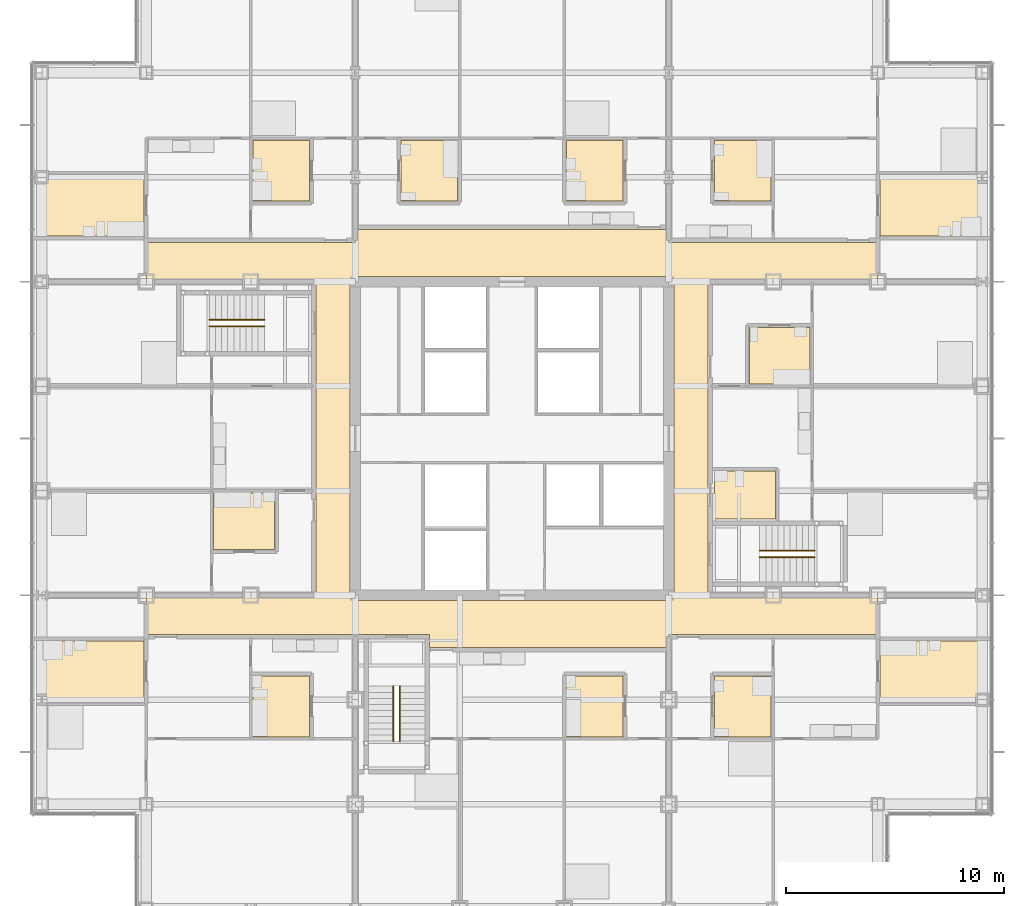
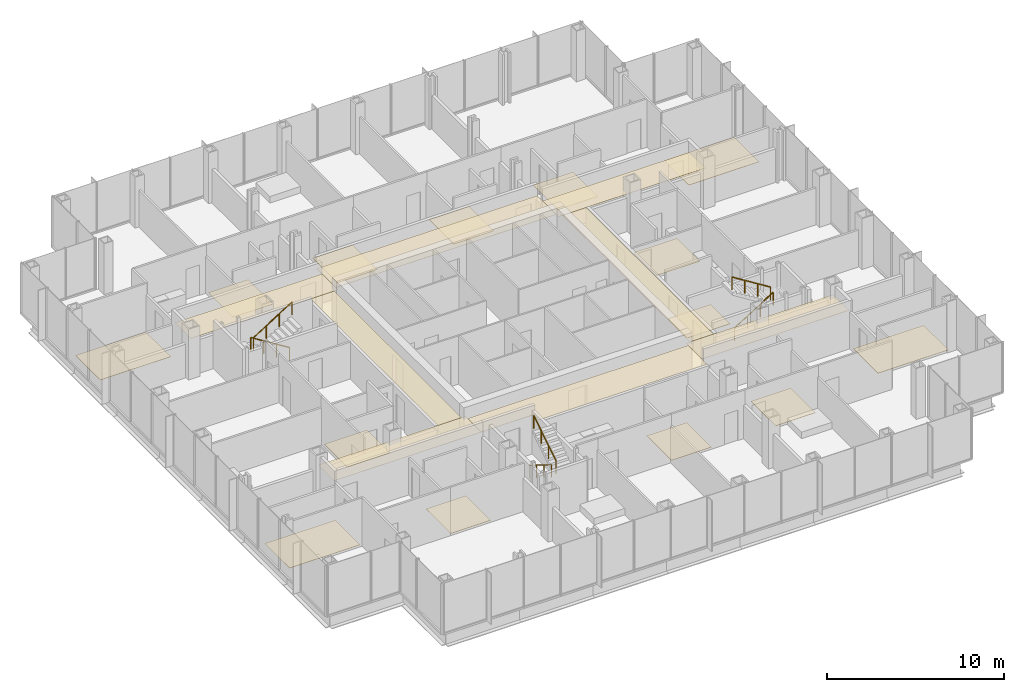
# One storey, part 19 of 21: 22 coverings, 6 railings.
"""IFC4 building model written with IfcOpenShell, lengths in metres."""

from ifc_helpers import new_model, si_unit, direction, frame, origin, origin_2d, place, context, subcontext, project, spatial, polyline, circle, outline, extrude, material, layer, layer_set, type_object, element, save


model = new_model("IFC4")

# Units and contexts
model_context = context("Model", 3, precision=1e-05, world=origin(), true_north=direction((0.0, 1.0)))
body_context = subcontext(model_context, "Body", "Model", "MODEL_VIEW")
ifc_project = project(units=[si_unit("LENGTHUNIT", "METRE"), si_unit("AREAUNIT", "SQUARE_METRE"), si_unit("VOLUMEUNIT", "CUBIC_METRE"), si_unit("PLANEANGLEUNIT", "RADIAN"), si_unit("MASSUNIT", "GRAM", prefix="KILO")], contexts=[model_context])

# Site, building, storey
site_placement = place(None, origin())
site = spatial("IfcSite", under=ifc_project, at=site_placement, CompositionType="ELEMENT")
building_placement = place(site_placement, origin())
building = spatial("IfcBuilding", under=site, at=building_placement, Name="Kvirike Care Tower", CompositionType="ELEMENT")
storey_placement = place(building_placement, frame((0.0, 0.0, 58.5)))
storey = spatial("IfcBuildingStorey", under=building, at=storey_placement, Name="L15", CompositionType="ELEMENT", Elevation=58.5)

# Coverings
ifc_material_1 = material(Name="Perforated metal ceiling tile", Category="aluminium")
ifc_layer_1 = layer(ifc_material_1, 0.014892578125)
ifc_layer_set_1 = layer_set([ifc_layer_1], Name="CORRIDOR CEILING 15")
covering_type_1 = type_object("IfcCoveringType", Name="CORRIDOR CEILING 15", PredefinedType="CEILING", material=ifc_layer_set_1)
covering_1_placement = place(storey_placement, frame((0.0, 0.0, 2.5)))
element("IfcCovering", 1, at=covering_1_placement, inside=storey, type_object=covering_type_1, Name="Corridor ceiling L15", PredefinedType="CEILING", context=body_context, shape_type="SweptSolid", body=[
    extrude(outline(polyline([(4.800048828125, 27.0), (4.800048828125, 28.800048828125), (14.39990234375, 28.800048828125), (14.39990234375, 27.0), (4.800048828125, 27.0)])), origin(), (0.0, 0.0, 1.0), 0.014892578125),
])
covering_2_placement = place(storey_placement, frame((0.0, 0.0, 2.5)))
element("IfcCovering", 2, at=covering_2_placement, inside=storey, type_object=covering_type_1, Name="Corridor ceiling L15", PredefinedType="CEILING", context=body_context, shape_type="SweptSolid", body=[
    extrude(outline(polyline([(12.60009765625, 43.199951171875), (14.14990234375, 43.199951171875), (14.14990234375, 28.800048828125), (12.60009765625, 28.800048828125), (12.60009765625, 43.199951171875)])), origin(), (0.0, 0.0, 1.0), 0.014892578125),
])
covering_3_placement = place(storey_placement, frame((0.0, 0.0, 2.5)))
element("IfcCovering", 3, at=covering_3_placement, inside=storey, type_object=covering_type_1, Name="Corridor ceiling L15", PredefinedType="CEILING", context=body_context, shape_type="SweptSolid", body=[
    extrude(outline(polyline([(14.39990234375, 45.0), (14.39990234375, 43.199951171875), (4.800048828125, 43.199951171875), (4.800048828125, 45.0), (14.39990234375, 45.0)])), origin(), (0.0, 0.0, 1.0), 0.014892578125),
])
covering_4_placement = place(storey_placement, frame((0.0, 0.0, 2.5)))
element("IfcCovering", 4, at=covering_4_placement, inside=storey, type_object=covering_type_1, Name="Corridor ceiling L15", PredefinedType="CEILING", context=body_context, shape_type="SweptSolid", body=[
    extrude(outline(polyline([(14.39990234375, 28.550048828125), (28.800048828125, 28.550048828125), (28.800048828125, 26.39990234375), (17.800048828125, 26.39990234375), (17.800048828125, 27.0), (14.39990234375, 27.0), (14.39990234375, 28.550048828125)])), origin(), (0.0, 0.0, 1.0), 0.014892578125),
])
covering_5_placement = place(storey_placement, frame((0.0, 0.0, 2.5)))
element("IfcCovering", 5, at=covering_5_placement, inside=storey, type_object=covering_type_1, Name="Corridor ceiling L15", PredefinedType="CEILING", context=body_context, shape_type="SweptSolid", body=[
    extrude(outline(polyline([(28.800048828125, 45.60009765625), (28.800048828125, 43.449951171875), (14.39990234375, 43.449951171875), (14.39990234375, 45.60009765625), (28.800048828125, 45.60009765625)])), origin(), (0.0, 0.0, 1.0), 0.014892578125),
])
covering_6_placement = place(storey_placement, frame((0.0, 0.0, 2.5)))
element("IfcCovering", 6, at=covering_6_placement, inside=storey, type_object=covering_type_1, Name="Corridor ceiling L15", PredefinedType="CEILING", context=body_context, shape_type="SweptSolid", body=[
    extrude(outline(polyline([(28.800048828125, 27.0), (28.800048828125, 28.800048828125), (38.39990234375, 28.800048828125), (38.39990234375, 27.0), (28.800048828125, 27.0)])), origin(), (0.0, 0.0, 1.0), 0.014892578125),
])
covering_7_placement = place(storey_placement, frame((0.0, 0.0, 2.5)))
element("IfcCovering", 7, at=covering_7_placement, inside=storey, type_object=covering_type_1, Name="Corridor ceiling L15", PredefinedType="CEILING", context=body_context, shape_type="SweptSolid", body=[
    extrude(outline(polyline([(30.60009765625, 28.800048828125), (29.050048828125, 28.800048828125), (29.050048828125, 43.199951171875), (30.60009765625, 43.199951171875), (30.60009765625, 28.800048828125)])), origin(), (0.0, 0.0, 1.0), 0.014892578125),
])
covering_8_placement = place(storey_placement, frame((0.0, 0.0, 2.5)))
element("IfcCovering", 8, at=covering_8_placement, inside=storey, type_object=covering_type_1, Name="Corridor ceiling L15", PredefinedType="CEILING", context=body_context, shape_type="SweptSolid", body=[
    extrude(outline(polyline([(38.39990234375, 45.0), (38.39990234375, 43.199951171875), (28.800048828125, 43.199951171875), (28.800048828125, 45.0), (38.39990234375, 45.0)])), origin(), (0.0, 0.0, 1.0), 0.014892578125),
])

# Railings
ifc_material_2 = material(Name="Stainless steel handrail", Category="steel")
railing_type = type_object("IfcRailingType", Name="STAIR HANDRAIL 900", PredefinedType="HANDRAIL", material=ifc_material_2)
railing_1_placement = place(storey_placement, frame((10.219970703125, 41.449951171875, 0.175048828125)))
element("IfcRailing", 9, at=railing_1_placement, inside=storey, type_object=railing_type, Name="Stair 1 handrail L15 flight 1", PredefinedType="HANDRAIL", context=body_context, shape_type="SweptSolid", body=[
    extrude(circle(Radius=0.02490234375, at=origin_2d()), frame((0.0, 0.0, 0.875), z_axis=(-0.848007534815, 0.0, 0.529984170421), x_axis=(0.0, -1.0, 0.0)), (0.0, 0.0, 1.0), 2.9716796875),
    extrude(circle(Radius=0.02001953125, at=origin_2d()), origin(), (0.0, 0.0, 1.0), 0.849853515625),
    extrude(circle(Radius=0.02001953125, at=origin_2d()), frame((-0.840087890625, 0.0, 0.52490234375)), (0.0, 0.0, 1.0), 0.849853515625),
    extrude(circle(Radius=0.02001953125, at=origin_2d()), frame((-1.679931640625, 0.0, 1.050048828125)), (0.0, 0.0, 1.0), 0.849853515625),
    extrude(circle(Radius=0.02001953125, at=origin_2d()), frame((-2.52001953125, 0.0, 1.574951171875)), (0.0, 0.0, 1.0), 0.849853515625),
])
for number, where, name in (
    (10, (7.699951171875, 41.14990234375, 1.925048828125), "Stair 1 handrail L15 flight 2"),
    (11, (32.97998046875, 30.550048828125, 0.175048828125), "Stair 2 handrail L15 flight 1"),
):
    element("IfcRailing", number, at=place(storey_placement, frame(where)), inside=storey, type_object=railing_type, Name=name, PredefinedType="HANDRAIL", context=body_context, shape_type="SweptSolid", body=[
        extrude(circle(Radius=0.02490234375, at=origin_2d()), frame((0.0, 0.0, 0.875), z_axis=(0.848007534815, 0.0, 0.529984170421), x_axis=(0.0, 1.0, 0.0)), (0.0, 0.0, 1.0), 2.9716796875),
        extrude(circle(Radius=0.02001953125, at=origin_2d()), origin(), (0.0, 0.0, 1.0), 0.849853515625),
        extrude(circle(Radius=0.02001953125, at=origin_2d()), frame((0.840087890625, 0.0, 0.52490234375)), (0.0, 0.0, 1.0), 0.849853515625),
        extrude(circle(Radius=0.02001953125, at=origin_2d()), frame((1.679931640625, 0.0, 1.050048828125)), (0.0, 0.0, 1.0), 0.849853515625),
        extrude(circle(Radius=0.02001953125, at=origin_2d()), frame((2.52001953125, 0.0, 1.574951171875)), (0.0, 0.0, 1.0), 0.849853515625),
    ])
railing_2_placement = place(storey_placement, frame((35.5, 30.85009765625, 1.925048828125)))
element("IfcRailing", 12, at=railing_2_placement, inside=storey, type_object=railing_type, Name="Stair 2 handrail L15 flight 2", PredefinedType="HANDRAIL", context=body_context, shape_type="SweptSolid", body=[
    extrude(circle(Radius=0.02490234375, at=origin_2d()), frame((0.0, 0.0, 0.875), z_axis=(-0.848007534815, 0.0, 0.529984170421), x_axis=(0.0, -1.0, 0.0)), (0.0, 0.0, 1.0), 2.9716796875),
    extrude(circle(Radius=0.02001953125, at=origin_2d()), origin(), (0.0, 0.0, 1.0), 0.849853515625),
    extrude(circle(Radius=0.02001953125, at=origin_2d()), frame((-0.840087890625, 0.0, 0.52490234375)), (0.0, 0.0, 1.0), 0.849853515625),
    extrude(circle(Radius=0.02001953125, at=origin_2d()), frame((-1.679931640625, 0.0, 1.050048828125)), (0.0, 0.0, 1.0), 0.849853515625),
    extrude(circle(Radius=0.02001953125, at=origin_2d()), frame((-2.52001953125, 0.0, 1.574951171875)), (0.0, 0.0, 1.0), 0.849853515625),
])
railing_3_placement = place(storey_placement, frame((16.14990234375, 24.6201171875, 0.175048828125)))
element("IfcRailing", 13, at=railing_3_placement, inside=storey, type_object=railing_type, Name="Stair 5 handrail L15 flight 1", PredefinedType="HANDRAIL", context=body_context, shape_type="SweptSolid", body=[
    extrude(circle(Radius=0.02490234375, at=origin_2d()), frame((0.0, 0.0, 0.875), z_axis=(0.0, -0.848007534815, 0.529984170421), x_axis=(1.0, 0.0, 0.0)), (0.0, 0.0, 1.0), 2.9716796875),
    extrude(circle(Radius=0.02001953125, at=origin_2d()), origin(), (0.0, 0.0, 1.0), 0.849853515625),
    extrude(circle(Radius=0.02001953125, at=origin_2d()), frame((0.0, -0.840087890625, 0.52490234375)), (0.0, 0.0, 1.0), 0.849853515625),
    extrude(circle(Radius=0.02001953125, at=origin_2d()), frame((0.0, -1.679931640625, 1.050048828125)), (0.0, 0.0, 1.0), 0.849853515625),
    extrude(circle(Radius=0.02001953125, at=origin_2d()), frame((0.0, -2.52001953125, 1.574951171875)), (0.0, 0.0, 1.0), 0.849853515625),
])
railing_4_placement = place(storey_placement, frame((16.449951171875, 22.10009765625, 1.925048828125)))
element("IfcRailing", 14, at=railing_4_placement, inside=storey, type_object=railing_type, Name="Stair 5 handrail L15 flight 2", PredefinedType="HANDRAIL", context=body_context, shape_type="SweptSolid", body=[
    extrude(circle(Radius=0.02490234375, at=origin_2d()), frame((0.0, 0.0, 0.875), z_axis=(0.0, 0.848007534815, 0.529984170421), x_axis=(-1.0, 0.0, 0.0)), (0.0, 0.0, 1.0), 2.9716796875),
    extrude(circle(Radius=0.02001953125, at=origin_2d()), origin(), (0.0, 0.0, 1.0), 0.849853515625),
    extrude(circle(Radius=0.02001953125, at=origin_2d()), frame((0.0, 0.840087890625, 0.52490234375)), (0.0, 0.0, 1.0), 0.849853515625),
    extrude(circle(Radius=0.02001953125, at=origin_2d()), frame((0.0, 1.679931640625, 1.050048828125)), (0.0, 0.0, 1.0), 0.849853515625),
    extrude(circle(Radius=0.02001953125, at=origin_2d()), frame((0.0, 2.52001953125, 1.574951171875)), (0.0, 0.0, 1.0), 0.849853515625),
])

# Coverings
ifc_material_3 = material(Name="Slip-resistant vinyl safety flooring on screed")
ifc_layer_2 = layer(ifc_material_3, 0.02001953125)
ifc_layer_set_2 = layer_set([ifc_layer_2], Name="WET ROOM FLOOR 20")
covering_type_2 = type_object("IfcCoveringType", Name="WET ROOM FLOOR 20", PredefinedType="FLOORING", material=ifc_layer_set_2)
covering_9_placement = place(storey_placement, origin())
element("IfcCovering", 15, at=covering_9_placement, inside=storey, type_object=covering_type_2, Name="Shower room floor L15-004", PredefinedType="FLOORING", context=body_context, shape_type="SweptSolid", body=[
    extrude(outline(polyline([(0.10009765625, 23.89990234375), (0.10009765625, 26.699951171875), (4.699951171875, 26.699951171875), (4.699951171875, 23.89990234375), (0.10009765625, 23.89990234375)])), origin(), (0.0, 0.0, 1.0), 0.02001953125),
])
covering_10_placement = place(storey_placement, origin())
element("IfcCovering", 16, at=covering_10_placement, inside=storey, type_object=covering_type_2, Name="Bathroom floor L15-005", PredefinedType="FLOORING", context=body_context, shape_type="SweptSolid", body=[
    extrude(outline(polyline([(9.699951171875, 22.300048828125), (9.699951171875, 25.10009765625), (12.300048828125, 25.10009765625), (12.300048828125, 22.300048828125), (9.699951171875, 22.300048828125)])), origin(), (0.0, 0.0, 1.0), 0.02001953125),
])
covering_11_placement = place(storey_placement, origin())
element("IfcCovering", 17, at=covering_11_placement, inside=storey, type_object=covering_type_2, Name="Bathroom floor L15-013", PredefinedType="FLOORING", context=body_context, shape_type="SweptSolid", body=[
    extrude(outline(polyline([(7.89990234375, 33.5), (10.699951171875, 33.5), (10.699951171875, 30.89990234375), (7.89990234375, 30.89990234375), (7.89990234375, 33.5)])), origin(), (0.0, 0.0, 1.0), 0.02001953125),
])
covering_12_placement = place(storey_placement, origin())
element("IfcCovering", 18, at=covering_12_placement, inside=storey, type_object=covering_type_2, Name="Shower room floor L15-020", PredefinedType="FLOORING", context=body_context, shape_type="SweptSolid", body=[
    extrude(outline(polyline([(12.300048828125, 49.699951171875), (12.300048828125, 46.89990234375), (9.699951171875, 46.89990234375), (9.699951171875, 49.699951171875), (12.300048828125, 49.699951171875)])), origin(), (0.0, 0.0, 1.0), 0.02001953125),
])
covering_13_placement = place(storey_placement, origin())
element("IfcCovering", 19, at=covering_13_placement, inside=storey, type_object=covering_type_2, Name="Bathroom floor L15-021", PredefinedType="FLOORING", context=body_context, shape_type="SweptSolid", body=[
    extrude(outline(polyline([(4.699951171875, 48.10009765625), (4.699951171875, 45.300048828125), (0.10009765625, 45.300048828125), (0.10009765625, 48.10009765625), (4.699951171875, 48.10009765625)])), origin(), (0.0, 0.0, 1.0), 0.02001953125),
])
covering_14_placement = place(storey_placement, origin())
element("IfcCovering", 20, at=covering_14_placement, inside=storey, type_object=covering_type_2, Name="Bathroom floor L15-029", PredefinedType="FLOORING", context=body_context, shape_type="SweptSolid", body=[
    extrude(outline(polyline([(24.10009765625, 22.300048828125), (24.10009765625, 25.10009765625), (26.699951171875, 25.10009765625), (26.699951171875, 22.300048828125), (24.10009765625, 22.300048828125)])), origin(), (0.0, 0.0, 1.0), 0.02001953125),
])
covering_15_placement = place(storey_placement, origin())
element("IfcCovering", 21, at=covering_15_placement, inside=storey, type_object=covering_type_2, Name="Shower room floor L15-035", PredefinedType="FLOORING", context=body_context, shape_type="SweptSolid", body=[
    extrude(outline(polyline([(26.699951171875, 49.699951171875), (26.699951171875, 46.89990234375), (24.10009765625, 46.89990234375), (24.10009765625, 49.699951171875), (26.699951171875, 49.699951171875)])), origin(), (0.0, 0.0, 1.0), 0.02001953125),
])
covering_16_placement = place(storey_placement, origin())
element("IfcCovering", 22, at=covering_16_placement, inside=storey, type_object=covering_type_2, Name="Bathroom floor L15-036", PredefinedType="FLOORING", context=body_context, shape_type="SweptSolid", body=[
    extrude(outline(polyline([(19.10009765625, 49.699951171875), (19.10009765625, 46.89990234375), (16.5, 46.89990234375), (16.5, 49.699951171875), (19.10009765625, 49.699951171875)])), origin(), (0.0, 0.0, 1.0), 0.02001953125),
])
covering_17_placement = place(storey_placement, origin())
element("IfcCovering", 23, at=covering_17_placement, inside=storey, type_object=covering_type_2, Name="Shower room floor L15-041", PredefinedType="FLOORING", context=body_context, shape_type="SweptSolid", body=[
    extrude(outline(polyline([(30.89990234375, 22.300048828125), (30.89990234375, 25.10009765625), (33.5, 25.10009765625), (33.5, 22.300048828125), (30.89990234375, 22.300048828125)])), origin(), (0.0, 0.0, 1.0), 0.02001953125),
])
covering_18_placement = place(storey_placement, origin())
element("IfcCovering", 24, at=covering_18_placement, inside=storey, type_object=covering_type_2, Name="Bathroom floor L15-042", PredefinedType="FLOORING", context=body_context, shape_type="SweptSolid", body=[
    extrude(outline(polyline([(38.5, 23.89990234375), (38.5, 26.699951171875), (43.10009765625, 26.699951171875), (43.10009765625, 23.89990234375), (38.5, 23.89990234375)])), origin(), (0.0, 0.0, 1.0), 0.02001953125),
])
covering_19_placement = place(storey_placement, origin())
element("IfcCovering", 25, at=covering_19_placement, inside=storey, type_object=covering_type_2, Name="Accessible WC floor L15-050", PredefinedType="FLOORING", context=body_context, shape_type="SweptSolid", body=[
    extrude(outline(polyline([(33.699951171875, 32.300048828125), (30.89990234375, 32.300048828125), (30.89990234375, 34.5), (33.699951171875, 34.5), (33.699951171875, 32.300048828125)])), origin(), (0.0, 0.0, 1.0), 0.02001953125),
])
covering_20_placement = place(storey_placement, origin())
element("IfcCovering", 26, at=covering_20_placement, inside=storey, type_object=covering_type_2, Name="Bathroom floor L15-051", PredefinedType="FLOORING", context=body_context, shape_type="SweptSolid", body=[
    extrude(outline(polyline([(35.300048828125, 38.5), (32.5, 38.5), (32.5, 41.10009765625), (35.300048828125, 41.10009765625), (35.300048828125, 38.5)])), origin(), (0.0, 0.0, 1.0), 0.02001953125),
])
covering_21_placement = place(storey_placement, origin())
element("IfcCovering", 27, at=covering_21_placement, inside=storey, type_object=covering_type_2, Name="Shower room floor L15-057", PredefinedType="FLOORING", context=body_context, shape_type="SweptSolid", body=[
    extrude(outline(polyline([(43.10009765625, 48.10009765625), (43.10009765625, 45.300048828125), (38.5, 45.300048828125), (38.5, 48.10009765625), (43.10009765625, 48.10009765625)])), origin(), (0.0, 0.0, 1.0), 0.02001953125),
])
covering_22_placement = place(storey_placement, origin())
element("IfcCovering", 28, at=covering_22_placement, inside=storey, type_object=covering_type_2, Name="Bathroom floor L15-058", PredefinedType="FLOORING", context=body_context, shape_type="SweptSolid", body=[
    extrude(outline(polyline([(33.5, 49.699951171875), (33.5, 46.89990234375), (30.89990234375, 46.89990234375), (30.89990234375, 49.699951171875), (33.5, 49.699951171875)])), origin(), (0.0, 0.0, 1.0), 0.02001953125),
])

save(model, "model.ifc")
